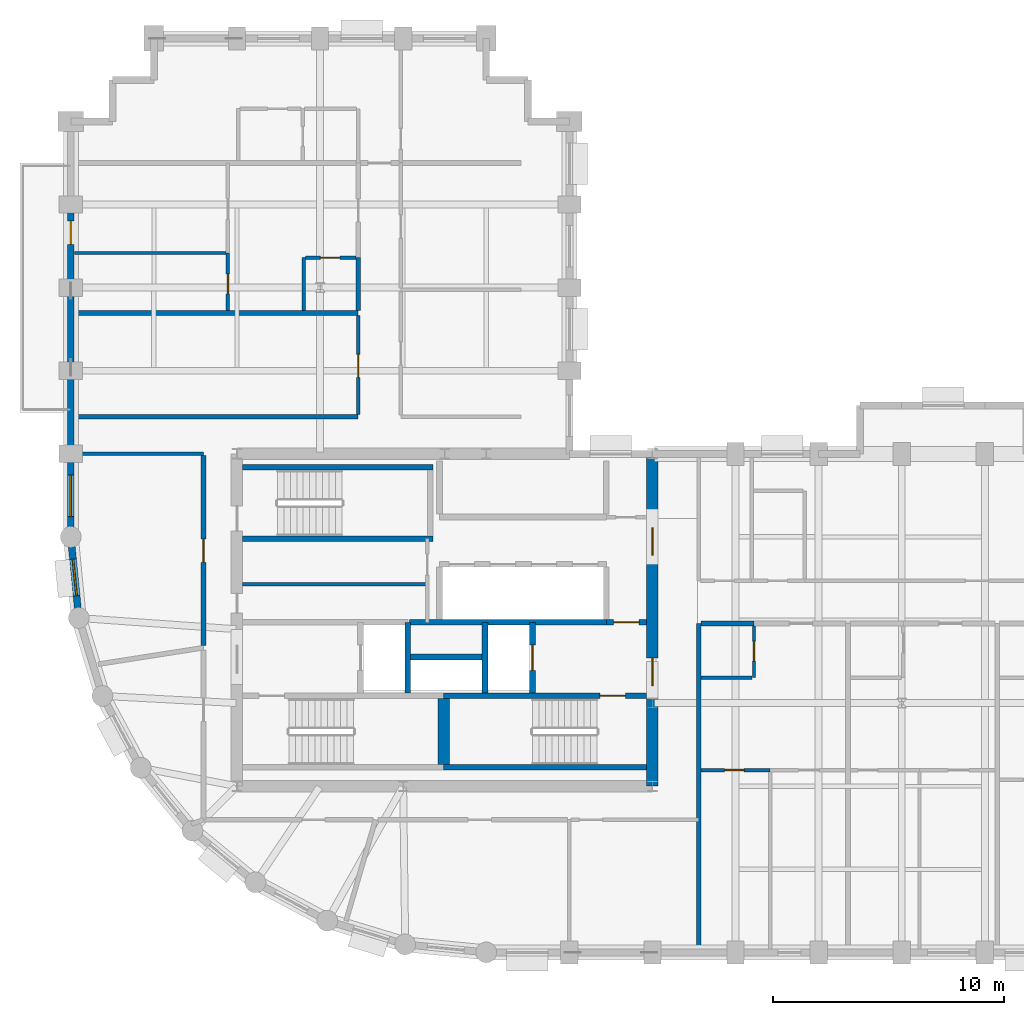
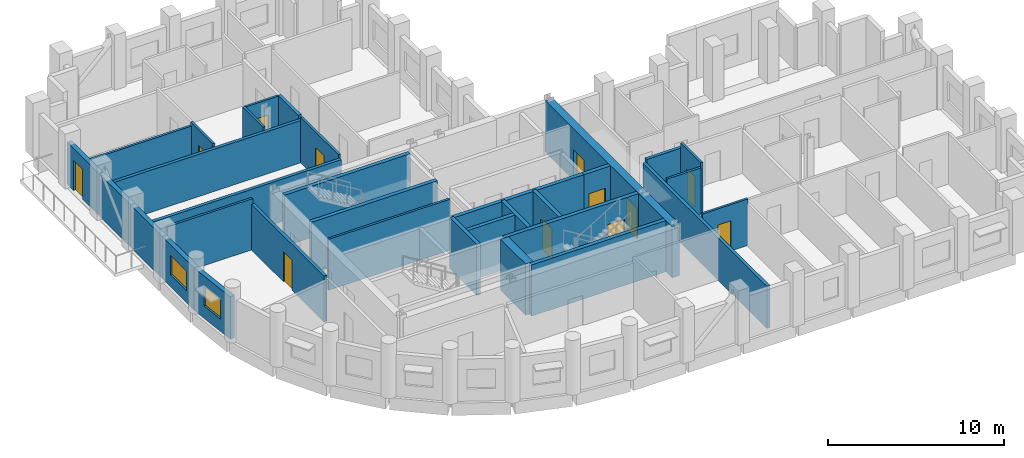
# One storey, part 4 of 10: 33 walls, 12 doors, 2 windows, 14 openings.
"""IFC4 building model written with IfcOpenShell, lengths in metres."""

from ifc_helpers import new_model, si_unit, direction, frame, frame_2d, origin, place, context, subcontext, project, spatial, rectangle, extrude, material, layer, layer_set, type_object, element, fill, save


model = new_model("IFC4")

# Units and contexts
model_context = context("Model", 3, precision=1e-05, world=origin(), true_north=direction((0.0, 1.0)))
body_context = subcontext(model_context, "Body", "Model", "MODEL_VIEW")
ifc_project = project(units=[si_unit("LENGTHUNIT", "METRE"), si_unit("AREAUNIT", "SQUARE_METRE"), si_unit("VOLUMEUNIT", "CUBIC_METRE"), si_unit("PLANEANGLEUNIT", "RADIAN"), si_unit("MASSUNIT", "GRAM", prefix="KILO")], contexts=[model_context])

# Site, building, storey
site_placement = place(None, origin())
site = spatial("IfcSite", under=ifc_project, at=site_placement, CompositionType="ELEMENT")
building_placement = place(site_placement, origin())
building = spatial("IfcBuilding", under=site, at=building_placement, Name="Solnavia Interchange Tower", CompositionType="ELEMENT")
storey_placement = place(building_placement, frame((0.0, 0.0, 150.39990234375)))
storey = spatial("IfcBuildingStorey", under=building, at=storey_placement, Name="L37", CompositionType="ELEMENT", Elevation=150.39990234375)

# Wall, opening, door
ifc_material_1 = material(Name="Gypsum Acoustic Twin-Stud & Mineral Wool", Category="gypsum")
ifc_layer_1 = layer(ifc_material_1, 0.199951171875)
ifc_layer_set_1 = layer_set([ifc_layer_1], Name="Gypsum Acoustic Twin-Stud & Mineral Wool")
wall_type_1 = type_object("IfcWallType", Name="Wall-ApartmentParty-200", PredefinedType="PARTITIONING", material=ifc_layer_set_1)
wall_1_placement = place(storey_placement, frame((12.949951171875, 16.904052734375, 0.0), z_axis=(0.0, 0.0, 1.0), x_axis=(0.0, 1.0, 0.0)))
wall_1 = element("IfcWall", 1, at=wall_1_placement, inside=storey, type_object=wall_type_1, Name="PTW-L37-12 Interior partition wall", PredefinedType="PARTITIONING", context=body_context, shape_type="SweptSolid", body=[
    extrude(rectangle(XDim=8.217041015625, YDim=0.199951171875, at=frame_2d((4.1083984375, 0.0))), origin(), (0.0, 0.0, 1.0), 3.18017578125),
])
opening_1_placement = place(wall_1_placement, frame((3.595947265625, 0.0, 0.0)))
opening_1 = element("IfcOpeningElement", 2, at=opening_1_placement, cuts=wall_1, Name="Opening DR-07", PredefinedType="OPENING", context=body_context, shape_type="SweptSolid", body=[
    extrude(rectangle(XDim=1.0, YDim=2.10009765625, at=frame_2d((0.5, 1.050048828125))), frame((0.0, 0.10986328125, 0.0), z_axis=(0.0, -1.0, 0.0), x_axis=(1.0, 0.0, 0.0)), (0.0, 0.0, 1.0), 0.219970703125),
])
ifc_material_2 = material(Name="Timber & Acoustic Glazed Office Door", Category="wood")
door_type_1 = type_object("IfcDoorType", Name="Door-Office-1000x2100", OperationType="SINGLE_SWING_RIGHT", PredefinedType="DOOR", material=ifc_material_2)
door_1_placement = place(opening_1_placement, origin())
door_1 = element("IfcDoor", 3, at=door_1_placement, inside=storey, type_object=door_type_1, Name="DR-L37-03 Interior room door", OperationType="SINGLE_SWING_LEFT", OverallHeight=2.10009765625, OverallWidth=1.0, PredefinedType="DOOR", context=body_context, shape_type="SweptSolid", body=[
    extrude(rectangle(XDim=1.0, YDim=2.10009765625, at=frame_2d((0.5, 1.050048828125))), frame((0.0, 0.02490234375, 0.0), z_axis=(0.0, -1.0, 0.0), x_axis=(1.0, 0.0, 0.0)), (0.0, 0.0, 1.0), 0.050048828125),
])
fill(opening_1, door_1)

# Walls
wall_2_placement = place(storey_placement, frame((34.39990234375, 3.75390625, 0.0), z_axis=(0.0, 0.0, 1.0), x_axis=(0.0, 1.0, 0.0)))
element("IfcWall", 4, at=wall_2_placement, inside=storey, type_object=wall_type_1, Name="PTW-L37-17 Interior partition wall", PredefinedType="PARTITIONING", context=body_context, shape_type="SweptSolid", body=[
    extrude(rectangle(XDim=14.09619140625, YDim=0.199951171875, at=frame_2d((7.048095703125, 0.0))), origin(), (0.0, 0.0, 1.0), 2.93017578125),
])
wall_3_placement = place(storey_placement, frame((34.50390625, 17.85009765625, 0.0), z_axis=(0.0, 0.0, 1.0), x_axis=(1.0, 0.0, 0.0)))
element("IfcWall", 5, at=wall_3_placement, inside=storey, type_object=wall_type_1, Name="PTW-L37-19 Interior partition wall", PredefinedType="PARTITIONING", context=body_context, shape_type="SweptSolid", body=[
    extrude(rectangle(XDim=2.296142578125, YDim=0.199951171875, at=frame_2d((1.14794921875, 0.0))), origin(), (0.0, 0.0, 1.0), 3.170166015625),
])
for number, where, z_axis, x_axis, name in (
    (6, (7.35400390625, 26.800048828125, 0.0), (0.0, 0.0, 1.0), (1.0, 0.0, 0.0), "PTW-L37-42 Interior partition wall"),
    (7, (7.35400390625, 31.300048828125, 0.0), (0.0, 0.0, 1.0), (1.0, 0.0, 0.0), "PTW-L37-43 Interior partition wall"),
):
    element("IfcWall", number, at=place(storey_placement, frame(where, z_axis=z_axis, x_axis=x_axis)), inside=storey, type_object=wall_type_1, Name=name, PredefinedType="PARTITIONING", context=body_context, shape_type="SweptSolid", body=[
        extrude(rectangle(XDim=12.2958984375, YDim=0.199951171875, at=frame_2d((6.14794921875, 0.0))), origin(), (0.0, 0.0, 1.0), 2.93017578125),
    ])
wall_4_placement = place(storey_placement, frame((19.64990234375, 31.404052734375, 0.0), z_axis=(0.0, 0.0, 1.0), x_axis=(0.0, 1.0, 0.0)))
element("IfcWall", 8, at=wall_4_placement, inside=storey, type_object=wall_type_1, Name="PTW-L37-45 Interior partition wall", PredefinedType="PARTITIONING", context=body_context, shape_type="SweptSolid", body=[
    extrude(rectangle(XDim=2.2958984375, YDim=0.199951171875, at=frame_2d((1.14794921875, 0.0))), origin(), (0.0, 0.0, 1.0), 3.18017578125),
])

# Wall, opening, door
ifc_material_3 = material(Name="Concrete C40/50", Category="concrete")
ifc_layer_2 = layer(ifc_material_3, 0.300048828125)
ifc_layer_set_2 = layer_set([ifc_layer_2], Name="Concrete C40/50")
wall_type_2 = type_object("IfcWallType", Name="Wall-ExtSpandrel-300", PredefinedType="STANDARD", material=ifc_layer_set_2)
wall_5_placement = place(storey_placement, frame((7.199951171875, 32.39990234375, 0.0), z_axis=(0.0, 0.0, 1.0), x_axis=(0.0, 1.0, 0.0)))
wall_5 = element("IfcWall", 9, at=wall_5_placement, inside=storey, type_object=wall_type_2, Name="EXW-L37-47 Exterior precast spandrel wall", PredefinedType="STANDARD", context=body_context, shape_type="SweptSolid", body=[
    extrude(rectangle(XDim=3.60009765625, YDim=0.300048828125, at=frame_2d((1.800048828125, 0.0))), origin(), (0.0, 0.0, 1.0), 2.93017578125),
])
opening_2_placement = place(wall_5_placement, frame((1.8779296875, 0.0, 0.0)))
opening_2 = element("IfcOpeningElement", 10, at=opening_2_placement, cuts=wall_5, Name="Opening EXD-05", PredefinedType="OPENING", context=body_context, shape_type="SweptSolid", body=[
    extrude(rectangle(XDim=1.0, YDim=2.10009765625, at=frame_2d((0.5, 1.050048828125))), frame((0.0, 0.16015625, 0.0), z_axis=(0.0, -1.0, 0.0), x_axis=(1.0, 0.0, 0.0)), (0.0, 0.0, 1.0), 0.320068359375),
])
ifc_material_4 = material(Name="Thermally Broken Aluminium & Laminated Glass", Category="aluminium")
door_type_2 = type_object("IfcDoorType", Name="Door-TerraceSingle-1000x2100", OperationType="SINGLE_SWING_LEFT", PredefinedType="DOOR", material=ifc_material_4)
door_2_placement = place(opening_2_placement, origin())
door_2 = element("IfcDoor", 11, at=door_2_placement, inside=storey, type_object=door_type_2, Name="EXD-L37-TER Spiral terrace glazed door", OperationType="SINGLE_SWING_LEFT", OverallHeight=2.10009765625, OverallWidth=1.0, PredefinedType="DOOR", context=body_context, shape_type="SweptSolid", body=[
    extrude(rectangle(XDim=1.0, YDim=2.10009765625, at=frame_2d((0.5, 1.050048828125))), frame((0.0, 0.02490234375, 0.0), z_axis=(0.0, -1.0, 0.0), x_axis=(1.0, 0.0, 0.0)), (0.0, 0.0, 1.0), 0.050048828125),
])
fill(opening_2, door_2)

# Walls
wall_6_placement = place(storey_placement, frame((7.199951171875, 28.800048828125, 0.0), z_axis=(0.0, 0.0, 1.0), x_axis=(0.0, 1.0, 0.0)))
element("IfcWall", 12, at=wall_6_placement, inside=storey, type_object=wall_type_2, Name="EXW-L37-48 Exterior precast spandrel wall", PredefinedType="STANDARD", context=body_context, shape_type="SweptSolid", body=[
    extrude(rectangle(XDim=3.599853515625, YDim=0.300048828125, at=frame_2d((1.7998046875, 0.0))), origin(), (0.0, 0.0, 1.0), 2.93017578125),
])
wall_7_placement = place(storey_placement, frame((7.199951171875, 25.199951171875, 0.0), z_axis=(0.0, 0.0, 1.0), x_axis=(0.0, 1.0, 0.0)))
element("IfcWall", 13, at=wall_7_placement, inside=storey, type_object=wall_type_2, Name="EXW-L37-49 Exterior precast spandrel wall", PredefinedType="STANDARD", context=body_context, shape_type="SweptSolid", body=[
    extrude(rectangle(XDim=3.60009765625, YDim=0.300048828125, at=frame_2d((1.800048828125, 0.0))), origin(), (0.0, 0.0, 1.0), 2.93017578125),
])

# Wall, opening, window
wall_8_placement = place(storey_placement, frame((7.199951171875, 21.60009765625, 0.0), z_axis=(0.0, 0.0, 1.0), x_axis=(0.0, 1.0, 0.0)))
wall_8 = element("IfcWall", 14, at=wall_8_placement, inside=storey, type_object=wall_type_2, Name="EXW-L37-50 Exterior precast spandrel wall", PredefinedType="STANDARD", context=body_context, shape_type="SweptSolid", body=[
    extrude(rectangle(XDim=3.599853515625, YDim=0.300048828125, at=frame_2d((1.7998046875, 0.0))), origin(), (0.0, 0.0, 1.0), 2.93017578125),
])
opening_3_placement = place(wall_8_placement, frame((0.875, 0.0, 0.85009765625)))
opening_3 = element("IfcOpeningElement", 15, at=opening_3_placement, cuts=wall_8, Name="Opening WIN-02", PredefinedType="OPENING", context=body_context, shape_type="SweptSolid", body=[
    extrude(rectangle(XDim=1.800048828125, YDim=1.35009765625, at=frame_2d((0.89990234375, 0.675048828125))), frame((0.0, 0.16015625, 0.0), z_axis=(0.0, -1.0, 0.0), x_axis=(1.0, 0.0, 0.0)), (0.0, 0.0, 1.0), 0.320068359375),
])
ifc_material_5 = material(Name="Thermal-Break Aluminium & Low-E Glass", Category="aluminium")
window_type_1 = type_object("IfcWindowType", Name="Window-Ribbon-1800x1350", PartitioningType="SINGLE_PANEL", PredefinedType="WINDOW", material=ifc_material_5)
window_1_placement = place(opening_3_placement, origin())
window_1 = element("IfcWindow", 16, at=window_1_placement, inside=storey, type_object=window_type_1, Name="WIN-L37-50 Facade ribbon window", OverallHeight=1.35009765625, OverallWidth=1.800048828125, PartitioningType="SINGLE_PANEL", PredefinedType="WINDOW", context=body_context, shape_type="SweptSolid", body=[
    extrude(rectangle(XDim=1.800048828125, YDim=1.35009765625, at=frame_2d((0.89990234375, 0.675048828125))), frame((0.0, 0.030029296875, 0.0), z_axis=(0.0, -1.0, 0.0), x_axis=(1.0, 0.0, 0.0)), (0.0, 0.0, 1.0), 0.06005859375),
])
fill(opening_3, window_1)

wall_9_placement = place(storey_placement, frame((7.5458984375, 18.087890625, 0.0), z_axis=(0.0, 0.0, 1.0), x_axis=(-0.09802417461, 0.995184033831, 0.0)))
wall_9 = element("IfcWall", 17, at=wall_9_placement, inside=storey, type_object=wall_type_2, Name="EXW-L37-51 Exterior precast spandrel wall", PredefinedType="STANDARD", context=body_context, shape_type="SweptSolid", body=[
    extrude(rectangle(XDim=3.529296875, YDim=0.300048828125, at=frame_2d((1.7646484375, 0.0))), origin(), (0.0, 0.0, 1.0), 2.93017578125),
])
opening_4_placement = place(wall_9_placement, frame((0.965087890625, 0.0, 0.85009765625)))
opening_4 = element("IfcOpeningElement", 18, at=opening_4_placement, cuts=wall_9, Name="Opening WIN-04", PredefinedType="OPENING", context=body_context, shape_type="SweptSolid", body=[
    extrude(rectangle(XDim=1.60009765625, YDim=1.35009765625, at=frame_2d((0.800048828125, 0.675048828125))), frame((0.0, 0.16015625, 0.0), z_axis=(0.0, -1.0, 0.0), x_axis=(1.0, 0.0, 0.0)), (0.0, 0.0, 1.0), 0.320068359375),
])
window_type_2 = type_object("IfcWindowType", Name="Window-Drum-1600x1350", PartitioningType="SINGLE_PANEL", PredefinedType="WINDOW", material=ifc_material_5)
window_2_placement = place(opening_4_placement, origin())
window_2 = element("IfcWindow", 19, at=window_2_placement, inside=storey, type_object=window_type_2, Name="WIN-L37-51 Facade ribbon window", OverallHeight=1.35009765625, OverallWidth=1.60009765625, PartitioningType="SINGLE_PANEL", PredefinedType="WINDOW", context=body_context, shape_type="SweptSolid", body=[
    extrude(rectangle(XDim=1.60009765625, YDim=1.35009765625, at=frame_2d((0.800048828125, 0.675048828125))), frame((0.0, 0.030029296875, 0.0), z_axis=(0.0, -1.0, 0.0), x_axis=(1.0, 0.0, 0.0)), (0.0, 0.0, 1.0), 0.06005859375),
])
fill(opening_4, window_2)

# Walls
ifc_material_6 = material(Name="Gypsum Plasterboard & Steel Stud", Category="steel")
ifc_layer_3 = layer(ifc_material_6, 0.14990234375)
ifc_layer_set_3 = layer_set([ifc_layer_3], Name="Gypsum Plasterboard & Steel Stud")
wall_type_3 = type_object("IfcWallType", Name="Wall-Partition-150", PredefinedType="PARTITIONING", material=ifc_layer_set_3)
wall_10_placement = place(storey_placement, frame((14.64990234375, 19.550048828125, 0.0), z_axis=(0.0, 0.0, 1.0), x_axis=(1.0, 0.0, 0.0)))
element("IfcWall", 20, at=wall_10_placement, inside=storey, type_object=wall_type_3, Name="CSW-L37-H1 Core shaft wall", PredefinedType="PARTITIONING", context=body_context, shape_type="SweptSolid", body=[
    extrude(rectangle(XDim=8.0, YDim=0.14990234375, at=frame_2d((4.0, 0.0))), origin(), (0.0, 0.0, 1.0), 3.53515625),
])
wall_11_placement = place(storey_placement, frame((7.35400390625, 25.199951171875, 0.0), z_axis=(0.0, 0.0, 1.0), x_axis=(1.0, 0.0, 0.0)))
element("IfcWall", 21, at=wall_11_placement, inside=storey, type_object=wall_type_3, Name="PTW-L37-07 Interior partition wall", PredefinedType="PARTITIONING", context=body_context, shape_type="SweptSolid", body=[
    extrude(rectangle(XDim=5.595947265625, YDim=0.14990234375, at=frame_2d((2.7978515625, 0.0))), origin(), (0.0, 0.0, 1.0), 3.53515625),
])

# Wall, opening, door
wall_12_placement = place(storey_placement, frame((19.64990234375, 26.904052734375, 0.0), z_axis=(0.0, 0.0, 1.0), x_axis=(0.0, 1.0, 0.0)))
wall_12 = element("IfcWall", 22, at=wall_12_placement, inside=storey, type_object=wall_type_3, Name="PTW-L37-44 Interior partition wall", PredefinedType="PARTITIONING", context=body_context, shape_type="SweptSolid", body=[
    extrude(rectangle(XDim=4.2919921875, YDim=0.14990234375, at=frame_2d((2.14599609375, 0.0))), origin(), (0.0, 0.0, 1.0), 3.170166015625),
])
opening_5_placement = place(wall_12_placement, frame((1.60595703125, 0.0, 0.0)))
opening_5 = element("IfcOpeningElement", 23, at=opening_5_placement, cuts=wall_12, Name="Opening DR-07", PredefinedType="OPENING", context=body_context, shape_type="SweptSolid", body=[
    extrude(rectangle(XDim=1.0, YDim=2.10009765625, at=frame_2d((0.5, 1.050048828125))), frame((0.0, 0.0849609375, 0.0), z_axis=(0.0, -1.0, 0.0), x_axis=(1.0, 0.0, 0.0)), (0.0, 0.0, 1.0), 0.169921875),
])
door_3_placement = place(opening_5_placement, origin())
door_3 = element("IfcDoor", 24, at=door_3_placement, inside=storey, type_object=door_type_1, Name="DR-L37-21 Interior room door", OperationType="SINGLE_SWING_RIGHT", OverallHeight=2.10009765625, OverallWidth=1.0, PredefinedType="DOOR", context=body_context, shape_type="SweptSolid", body=[
    extrude(rectangle(XDim=1.0, YDim=2.10009765625, at=frame_2d((0.5, 1.050048828125))), frame((0.0, 0.02490234375, 0.0), z_axis=(0.0, -1.0, 0.0), x_axis=(1.0, 0.0, 0.0)), (0.0, 0.0, 1.0), 0.050048828125),
])
fill(opening_5, door_3)

# Wall
ifc_layer_4 = layer(ifc_material_3, 0.25)
ifc_layer_set_4 = layer_set([ifc_layer_4], Name="Concrete C40/50")
wall_type_4 = type_object("IfcWallType", Name="Wall-ShaftCore-250", PredefinedType="SHEAR", material=ifc_layer_set_4)
wall_13_placement = place(storey_placement, frame((23.35009765625, 11.625, 0.0), z_axis=(0.0, 0.0, 1.0), x_axis=(1.0, 0.0, 0.0)))
element("IfcWall", 25, at=wall_13_placement, inside=storey, type_object=wall_type_4, Name="SHW-L37-ST2S Core shear wall", PredefinedType="SHEAR", context=body_context, shape_type="SweptSolid", body=[
    extrude(rectangle(XDim=8.7998046875, YDim=0.25, at=frame_2d((4.39990234375, 0.0))), origin(), (0.0, 0.0, 1.0), 3.550048828125),
])

# Wall, opening, door
wall_14_placement = place(storey_placement, frame((23.35009765625, 14.715087890625, 0.0), z_axis=(0.0, 0.0, 1.0), x_axis=(1.0, 0.0, 0.0)))
wall_14 = element("IfcWall", 26, at=wall_14_placement, inside=storey, type_object=wall_type_4, Name="SHW-L37-ST2N Core shear wall", PredefinedType="SHEAR", context=body_context, shape_type="SweptSolid", body=[
    extrude(rectangle(XDim=8.7998046875, YDim=0.25, at=frame_2d((4.39990234375, 0.0))), origin(), (0.0, 0.0, 1.0), 3.550048828125),
])
opening_6_placement = place(wall_14_placement, frame((6.77490234375, 0.0, 0.0)))
opening_6 = element("IfcOpeningElement", 27, at=opening_6_placement, cuts=wall_14, Name="Opening DR-01", PredefinedType="OPENING", context=body_context, shape_type="SweptSolid", body=[
    extrude(rectangle(XDim=1.10009765625, YDim=2.10009765625, at=frame_2d((0.550048828125, 1.050048828125))), frame((0.0, 0.135009765625, 0.0), z_axis=(0.0, -1.0, 0.0), x_axis=(1.0, 0.0, 0.0)), (0.0, 0.0, 1.0), 0.27001953125),
])
ifc_material_7 = material(Name="Steel Fire-Rated Leaf & Frame", Category="steel")
door_type_3 = type_object("IfcDoorType", Name="Door-StairFire-1100x2100", OperationType="SINGLE_SWING_LEFT", PredefinedType="DOOR", material=ifc_material_7)
door_4_placement = place(opening_6_placement, origin())
door_4 = element("IfcDoor", 28, at=door_4_placement, inside=storey, type_object=door_type_3, Name="DR-L37-ST2 Core fire door", OperationType="SINGLE_SWING_LEFT", OverallHeight=2.10009765625, OverallWidth=1.10009765625, PredefinedType="DOOR", context=body_context, shape_type="SweptSolid", body=[
    extrude(rectangle(XDim=1.10009765625, YDim=2.10009765625, at=frame_2d((0.550048828125, 1.050048828125))), frame((0.0, 0.02490234375, 0.0), z_axis=(0.0, -1.0, 0.0), x_axis=(1.0, 0.0, 0.0)), (0.0, 0.0, 1.0), 0.050048828125),
])
fill(opening_6, door_4)

# Walls
for number, where, z_axis, x_axis, name in (
    (29, (14.64990234375, 21.52490234375, 0.0), (0.0, 0.0, 1.0), (1.0, 0.0, 0.0), "SHW-L37-ST3S Core shear wall"),
    (30, (14.64990234375, 24.614990234375, 0.0), (0.0, 0.0, 1.0), (1.0, 0.0, 0.0), "SHW-L37-ST3N Core shear wall"),
):
    element("IfcWall", number, at=place(storey_placement, frame(where, z_axis=z_axis, x_axis=x_axis)), inside=storey, type_object=wall_type_4, Name=name, PredefinedType="SHEAR", context=body_context, shape_type="SweptSolid", body=[
        extrude(rectangle(XDim=8.25, YDim=0.25, at=frame_2d((4.125, 0.0))), origin(), (0.0, 0.0, 1.0), 3.550048828125),
    ])
ifc_layer_5 = layer(ifc_material_3, 0.25)
ifc_layer_set_5 = layer_set([ifc_layer_5], Name="Concrete C40/50")
wall_type_5 = type_object("IfcWallType", Name="Wall-ShaftPart-250", PredefinedType="PARTITIONING", material=ifc_layer_set_5)
wall_15_placement = place(storey_placement, frame((21.800048828125, 14.840087890625, 0.0), z_axis=(0.0, 0.0, 1.0), x_axis=(0.0, 1.0, 0.0)))
element("IfcWall", 31, at=wall_15_placement, inside=storey, type_object=wall_type_5, Name="SHW-L37-FFL1-E Core shaft wall", PredefinedType="PARTITIONING", context=body_context, shape_type="SweptSolid", body=[
    extrude(rectangle(XDim=3.059814453125, YDim=0.25, at=frame_2d((1.52978515625, 0.0))), origin(), (0.0, 0.0, 1.0), 3.53515625),
])
wall_16_placement = place(storey_placement, frame((21.8798828125, 17.89990234375, 0.0), z_axis=(0.0, 0.0, 1.0), x_axis=(1.0, 0.0, 0.0)))
element("IfcWall", 32, at=wall_16_placement, inside=storey, type_object=wall_type_5, Name="SHW-L37-FFLE-N1 Core shaft wall", PredefinedType="PARTITIONING", context=body_context, shape_type="SweptSolid", body=[
    extrude(rectangle(XDim=8.52001953125, YDim=0.25, at=frame_2d((4.260009765625, 0.0))), origin(), (0.0, 0.0, 1.0), 3.53515625),
])

# Wall, opening, door
wall_17_placement = place(storey_placement, frame((30.39990234375, 17.89990234375, 0.0), z_axis=(0.0, 0.0, 1.0), x_axis=(1.0, 0.0, 0.0)))
wall_17 = element("IfcWall", 33, at=wall_17_placement, inside=storey, type_object=wall_type_5, Name="SHW-L37-FFLE-N2 Core shaft wall", PredefinedType="PARTITIONING", context=body_context, shape_type="SweptSolid", body=[
    extrude(rectangle(XDim=1.75, YDim=0.25, at=frame_2d((0.875, 0.0))), origin(), (0.0, 0.0, 1.0), 3.53515625),
])
opening_7_placement = place(wall_17_placement, frame((0.320068359375, 0.0, 0.0)))
opening_7 = element("IfcOpeningElement", 34, at=opening_7_placement, cuts=wall_17, Name="Opening DR-01", PredefinedType="OPENING", context=body_context, shape_type="SweptSolid", body=[
    extrude(rectangle(XDim=1.10009765625, YDim=2.10009765625, at=frame_2d((0.550048828125, 1.050048828125))), frame((0.0, 0.135009765625, 0.0), z_axis=(0.0, -1.0, 0.0), x_axis=(1.0, 0.0, 0.0)), (0.0, 0.0, 1.0), 0.27001953125),
])
door_5_placement = place(opening_7_placement, origin())
door_5 = element("IfcDoor", 35, at=door_5_placement, inside=storey, type_object=door_type_3, Name="DR-L37-LLC Core fire door", OperationType="SINGLE_SWING_LEFT", OverallHeight=2.10009765625, OverallWidth=1.10009765625, PredefinedType="DOOR", context=body_context, shape_type="SweptSolid", body=[
    extrude(rectangle(XDim=1.10009765625, YDim=2.10009765625, at=frame_2d((0.550048828125, 1.050048828125))), frame((0.0, 0.02490234375, 0.0), z_axis=(0.0, -1.0, 0.0), x_axis=(1.0, 0.0, 0.0)), (0.0, 0.0, 1.0), 0.050048828125),
])
fill(opening_7, door_5)

# Wall
wall_18_placement = place(storey_placement, frame((25.14990234375, 14.840087890625, 0.0), z_axis=(0.0, 0.0, 1.0), x_axis=(0.0, 1.0, 0.0)))
element("IfcWall", 36, at=wall_18_placement, inside=storey, type_object=wall_type_5, Name="SHW-L37-FFL2-W Core shaft wall", PredefinedType="PARTITIONING", context=body_context, shape_type="SweptSolid", body=[
    extrude(rectangle(XDim=3.059814453125, YDim=0.25, at=frame_2d((1.52978515625, 0.0))), origin(), (0.0, 0.0, 1.0), 3.53515625),
])

# Wall, opening, door
wall_19_placement = place(storey_placement, frame((27.199951171875, 14.840087890625, 0.0), z_axis=(0.0, 0.0, 1.0), x_axis=(0.0, 1.0, 0.0)))
wall_19 = element("IfcWall", 37, at=wall_19_placement, inside=storey, type_object=wall_type_5, Name="SHW-L37-FFL2-E Core shaft wall", PredefinedType="PARTITIONING", context=body_context, shape_type="SweptSolid", body=[
    extrude(rectangle(XDim=3.059814453125, YDim=0.25, at=frame_2d((1.52978515625, 0.0))), origin(), (0.0, 0.0, 1.0), 3.53515625),
])
opening_8_placement = place(wall_19_placement, frame((0.97998046875, 0.0, 0.0)))
opening_8 = element("IfcOpeningElement", 38, at=opening_8_placement, cuts=wall_19, Name="Opening LD-01", PredefinedType="OPENING", context=body_context, shape_type="SweptSolid", body=[
    extrude(rectangle(XDim=1.10009765625, YDim=2.10009765625, at=frame_2d((0.550048828125, 1.050048828125))), frame((0.0, 0.135009765625, 0.0), z_axis=(0.0, -1.0, 0.0), x_axis=(1.0, 0.0, 0.0)), (0.0, 0.0, 1.0), 0.27001953125),
])
ifc_material_8 = material(Name="Brushed Stainless Steel Sliding Door", Category="steel")
door_type_4 = type_object("IfcDoorType", Name="Door-LiftLanding-1100x2100", OperationType="SLIDING_TO_LEFT", PredefinedType="DOOR", material=ifc_material_8)
door_6_placement = place(opening_8_placement, origin())
door_6 = element("IfcDoor", 39, at=door_6_placement, inside=storey, type_object=door_type_4, Name="LD-L37-FFL2 Lift landing sliding door", OperationType="SLIDING_TO_LEFT", OverallHeight=2.10009765625, OverallWidth=1.10009765625, PredefinedType="DOOR", context=body_context, shape_type="SweptSolid", body=[
    extrude(rectangle(XDim=1.10009765625, YDim=2.10009765625, at=frame_2d((0.550048828125, 1.050048828125))), frame((0.0, 0.02490234375, 0.0), z_axis=(0.0, -1.0, 0.0), x_axis=(1.0, 0.0, 0.0)), (0.0, 0.0, 1.0), 0.050048828125),
])
fill(opening_8, door_6)

# Wall
wall_20_placement = place(storey_placement, frame((21.800048828125, 16.39990234375, 0.0), z_axis=(0.0, 0.0, 1.0), x_axis=(1.0, 0.0, 0.0)))
element("IfcWall", 40, at=wall_20_placement, inside=storey, type_object=wall_type_5, Name="SHW-L37-MEP-N Core shaft wall", PredefinedType="PARTITIONING", context=body_context, shape_type="SweptSolid", body=[
    extrude(rectangle(XDim=3.349853515625, YDim=0.25, at=frame_2d((1.6748046875, 0.0))), origin(), (0.0, 0.0, 1.0), 3.53515625),
])

# Wall, openings, doors
ifc_material_9 = material(Name="Concrete C60/75", Category="concrete")
ifc_layer_6 = layer(ifc_material_9, 0.5)
ifc_layer_set_6 = layer_set([ifc_layer_6], Name="Concrete C60/75")
wall_type_6 = type_object("IfcWallType", Name="Wall-ShearCore-500", PredefinedType="SHEAR", material=ifc_layer_set_6)
wall_21_placement = place(storey_placement, frame((32.39990234375, 10.800048828125, 0.0), z_axis=(0.0, 0.0, 1.0), x_axis=(0.0, 1.0, 0.0)))
wall_21 = element("IfcWall", 41, at=wall_21_placement, inside=storey, type_object=wall_type_6, Name="CRW-L37-E Core shear wall", PredefinedType="SHEAR", context=body_context, shape_type="SweptSolid", body=[
    extrude(rectangle(XDim=14.39990234375, YDim=0.5, at=frame_2d((7.199951171875, 0.0))), origin(), (0.0, 0.0, 1.0), 3.550048828125),
])
opening_9_placement = place(wall_21_placement, frame((4.35009765625, 0.0, 0.0)))
opening_9 = element("IfcOpeningElement", 42, at=opening_9_placement, cuts=wall_21, Name="Opening DR-02", PredefinedType="OPENING", context=body_context, shape_type="SweptSolid", body=[
    extrude(rectangle(XDim=1.199951171875, YDim=2.10009765625, at=frame_2d((0.60009765625, 1.050048828125))), frame((0.0, 0.260009765625, 0.0), z_axis=(0.0, -1.0, 0.0), x_axis=(1.0, 0.0, 0.0)), (0.0, 0.0, 1.0), 0.52001953125),
])
opening_10_placement = place(wall_21_placement, frame((10.0, 0.0, 0.0)))
opening_10 = element("IfcOpeningElement", 43, at=opening_10_placement, cuts=wall_21, Name="Opening DR-02", PredefinedType="OPENING", context=body_context, shape_type="SweptSolid", body=[
    extrude(rectangle(XDim=1.199951171875, YDim=2.10009765625, at=frame_2d((0.60009765625, 1.050048828125))), frame((0.0, 0.260009765625, 0.0), z_axis=(0.0, -1.0, 0.0), x_axis=(1.0, 0.0, 0.0)), (0.0, 0.0, 1.0), 0.52001953125),
])
ifc_material_10 = material(Name="Steel Fire-Rated Vision-Panel Door", Category="steel")
door_type_5 = type_object("IfcDoorType", Name="Door-LobbyFire-1200x2100", OperationType="SINGLE_SWING_RIGHT", PredefinedType="DOOR", material=ifc_material_10)
door_7_placement = place(opening_9_placement, origin())
door_7 = element("IfcDoor", 44, at=door_7_placement, inside=storey, type_object=door_type_5, Name="DR-L37-FFL2E Core fire door", OperationType="SINGLE_SWING_LEFT", OverallHeight=2.10009765625, OverallWidth=1.199951171875, PredefinedType="DOOR", context=body_context, shape_type="SweptSolid", body=[
    extrude(rectangle(XDim=1.199951171875, YDim=2.10009765625, at=frame_2d((0.60009765625, 1.050048828125))), frame((0.0, 0.02490234375, 0.0), z_axis=(0.0, -1.0, 0.0), x_axis=(1.0, 0.0, 0.0)), (0.0, 0.0, 1.0), 0.050048828125),
])
fill(opening_9, door_7)
door_8_placement = place(opening_10_placement, origin())
door_8 = element("IfcDoor", 45, at=door_8_placement, inside=storey, type_object=door_type_5, Name="DR-L37-LLE Core fire door", OperationType="SINGLE_SWING_RIGHT", OverallHeight=2.10009765625, OverallWidth=1.199951171875, PredefinedType="DOOR", context=body_context, shape_type="SweptSolid", body=[
    extrude(rectangle(XDim=1.199951171875, YDim=2.10009765625, at=frame_2d((0.60009765625, 1.050048828125))), frame((0.0, 0.02490234375, 0.0), z_axis=(0.0, -1.0, 0.0), x_axis=(1.0, 0.0, 0.0)), (0.0, 0.0, 1.0), 0.050048828125),
])
fill(opening_10, door_8)

# Wall
wall_22_placement = place(storey_placement, frame((23.35009765625, 11.75, 0.0), z_axis=(0.0, 0.0, 1.0), x_axis=(0.0, 1.0, 0.0)))
element("IfcWall", 46, at=wall_22_placement, inside=storey, type_object=wall_type_6, Name="SHW-L37-ST12M Core shear wall", PredefinedType="SHEAR", context=body_context, shape_type="SweptSolid", body=[
    extrude(rectangle(XDim=2.840087890625, YDim=0.5, at=frame_2d((1.419921875, 0.0))), origin(), (0.0, 0.0, 1.0), 3.550048828125),
])

# Wall, opening, door
ifc_material_11 = material(Name="Moisture-Resistant Gypsum & Steel Stud", Category="steel")
ifc_layer_7 = layer(ifc_material_11, 0.14990234375)
ifc_layer_set_7 = layer_set([ifc_layer_7], Name="Moisture-Resistant Gypsum & Steel Stud")
wall_type_7 = type_object("IfcWallType", Name="Wall-WetRoom-150", PredefinedType="PARTITIONING", material=ifc_layer_set_7)
wall_23_placement = place(storey_placement, frame((36.800048828125, 15.5, 0.0), z_axis=(0.0, 0.0, 1.0), x_axis=(0.0, 1.0, 0.0)))
wall_23 = element("IfcWall", 47, at=wall_23_placement, inside=storey, type_object=wall_type_7, Name="PTW-L37-20 Interior partition wall", PredefinedType="PARTITIONING", context=body_context, shape_type="SweptSolid", body=[
    extrude(rectangle(XDim=2.24609375, YDim=0.14990234375, at=frame_2d((1.123046875, 0.0))), origin(), (0.0, 0.0, 1.0), 3.53515625),
])
opening_11_placement = place(wall_23_placement, frame((0.719970703125, 0.0, 0.0)))
opening_11 = element("IfcOpeningElement", 48, at=opening_11_placement, cuts=wall_23, Name="Opening DR-10", PredefinedType="OPENING", context=body_context, shape_type="SweptSolid", body=[
    extrude(rectangle(XDim=0.85009765625, YDim=2.10009765625, at=frame_2d((0.425048828125, 1.050048828125))), frame((0.0, 0.0849609375, 0.0), z_axis=(0.0, -1.0, 0.0), x_axis=(1.0, 0.0, 0.0)), (0.0, 0.0, 1.0), 0.169921875),
])
ifc_material_12 = material(Name="Moisture-Resistant Timber Door", Category="wood")
door_type_6 = type_object("IfcDoorType", Name="Door-Bathroom-850x2100", OperationType="SINGLE_SWING_RIGHT", PredefinedType="DOOR", material=ifc_material_12)
door_9_placement = place(opening_11_placement, origin())
door_9 = element("IfcDoor", 49, at=door_9_placement, inside=storey, type_object=door_type_6, Name="DR-L37-08 Interior room door", OperationType="SINGLE_SWING_RIGHT", OverallHeight=2.10009765625, OverallWidth=0.85009765625, PredefinedType="DOOR", context=body_context, shape_type="SweptSolid", body=[
    extrude(rectangle(XDim=0.85009765625, YDim=2.10009765625, at=frame_2d((0.425048828125, 1.050048828125))), frame((0.0, 0.02490234375, 0.0), z_axis=(0.0, -1.0, 0.0), x_axis=(1.0, 0.0, 0.0)), (0.0, 0.0, 1.0), 0.050048828125),
])
fill(opening_11, door_9)

# Wall
wall_24_placement = place(storey_placement, frame((34.50390625, 15.5, 0.0), z_axis=(0.0, 0.0, 1.0), x_axis=(1.0, 0.0, 0.0)))
element("IfcWall", 50, at=wall_24_placement, inside=storey, type_object=wall_type_7, Name="PTW-L37-21 Interior partition wall", PredefinedType="PARTITIONING", context=body_context, shape_type="SweptSolid", body=[
    extrude(rectangle(XDim=2.217041015625, YDim=0.14990234375, at=frame_2d((1.1083984375, 0.0))), origin(), (0.0, 0.0, 1.0), 3.22021484375),
])

# Wall, opening, door
wall_25_placement = place(storey_placement, frame((34.50390625, 11.5, 0.0), z_axis=(0.0, 0.0, 1.0), x_axis=(1.0, 0.0, 0.0)))
wall_25 = element("IfcWall", 51, at=wall_25_placement, inside=storey, type_object=wall_type_7, Name="PTW-L37-24 Interior partition wall", PredefinedType="PARTITIONING", context=body_context, shape_type="SweptSolid", body=[
    extrude(rectangle(XDim=2.99609375, YDim=0.14990234375, at=frame_2d((1.498046875, 0.0))), origin(), (0.0, 0.0, 1.0), 3.22021484375),
])
opening_12_placement = place(wall_25_placement, frame((1.02099609375, 0.0, 0.0)))
opening_12 = element("IfcOpeningElement", 52, at=opening_12_placement, cuts=wall_25, Name="Opening DR-10", PredefinedType="OPENING", context=body_context, shape_type="SweptSolid", body=[
    extrude(rectangle(XDim=0.85009765625, YDim=2.10009765625, at=frame_2d((0.425048828125, 1.050048828125))), frame((0.0, 0.0849609375, 0.0), z_axis=(0.0, -1.0, 0.0), x_axis=(1.0, 0.0, 0.0)), (0.0, 0.0, 1.0), 0.169921875),
])
door_10_placement = place(opening_12_placement, origin())
door_10 = element("IfcDoor", 53, at=door_10_placement, inside=storey, type_object=door_type_6, Name="DR-L37-11 Interior room door", OperationType="SINGLE_SWING_LEFT", OverallHeight=2.10009765625, OverallWidth=0.85009765625, PredefinedType="DOOR", context=body_context, shape_type="SweptSolid", body=[
    extrude(rectangle(XDim=0.85009765625, YDim=2.10009765625, at=frame_2d((0.425048828125, 1.050048828125))), frame((0.0, 0.02490234375, 0.0), z_axis=(0.0, -1.0, 0.0), x_axis=(1.0, 0.0, 0.0)), (0.0, 0.0, 1.0), 0.050048828125),
])
fill(opening_12, door_10)

# Wall
wall_26_placement = place(storey_placement, frame((17.300048828125, 31.404052734375, 0.0), z_axis=(0.0, 0.0, 1.0), x_axis=(0.0, 1.0, 0.0)))
element("IfcWall", 54, at=wall_26_placement, inside=storey, type_object=wall_type_7, Name="PTW-L37-46 Interior partition wall", PredefinedType="PARTITIONING", context=body_context, shape_type="SweptSolid", body=[
    extrude(rectangle(XDim=2.2958984375, YDim=0.14990234375, at=frame_2d((1.14794921875, 0.0))), origin(), (0.0, 0.0, 1.0), 3.18017578125),
])

# Wall, opening, door
wall_27_placement = place(storey_placement, frame((17.37890625, 33.699951171875, 0.0), z_axis=(0.0, 0.0, 1.0), x_axis=(1.0, 0.0, 0.0)))
wall_27 = element("IfcWall", 55, at=wall_27_placement, inside=storey, type_object=wall_type_7, Name="PTW-L37-47 Interior partition wall", PredefinedType="PARTITIONING", context=body_context, shape_type="SweptSolid", body=[
    extrude(rectangle(XDim=2.1669921875, YDim=0.14990234375, at=frame_2d((1.08349609375, 0.0))), origin(), (0.0, 0.0, 1.0), 3.170166015625),
])
opening_13_placement = place(wall_27_placement, frame((0.633056640625, 0.0, 0.0)))
opening_13 = element("IfcOpeningElement", 56, at=opening_13_placement, cuts=wall_27, Name="Opening DR-10", PredefinedType="OPENING", context=body_context, shape_type="SweptSolid", body=[
    extrude(rectangle(XDim=0.85009765625, YDim=2.10009765625, at=frame_2d((0.425048828125, 1.050048828125))), frame((0.0, 0.0849609375, 0.0), z_axis=(0.0, -1.0, 0.0), x_axis=(1.0, 0.0, 0.0)), (0.0, 0.0, 1.0), 0.169921875),
])
door_11_placement = place(opening_13_placement, origin())
door_11 = element("IfcDoor", 57, at=door_11_placement, inside=storey, type_object=door_type_6, Name="DR-L37-22 Interior room door", OperationType="SINGLE_SWING_RIGHT", OverallHeight=2.10009765625, OverallWidth=0.85009765625, PredefinedType="DOOR", context=body_context, shape_type="SweptSolid", body=[
    extrude(rectangle(XDim=0.85009765625, YDim=2.10009765625, at=frame_2d((0.425048828125, 1.050048828125))), frame((0.0, 0.02490234375, 0.0), z_axis=(0.0, -1.0, 0.0), x_axis=(1.0, 0.0, 0.0)), (0.0, 0.0, 1.0), 0.050048828125),
])
fill(opening_13, door_11)

wall_28_placement = place(storey_placement, frame((14.010009765625, 31.404052734375, 0.0), z_axis=(0.0, 0.0, 1.0), x_axis=(0.0, 1.0, 0.0)))
wall_28 = element("IfcWall", 58, at=wall_28_placement, inside=storey, type_object=wall_type_7, Name="PTW-L37-50 Interior partition wall", PredefinedType="PARTITIONING", context=body_context, shape_type="SweptSolid", body=[
    extrude(rectangle(XDim=2.495849609375, YDim=0.14990234375, at=frame_2d((1.248046875, 0.0))), origin(), (0.0, 0.0, 1.0), 3.18017578125),
])
opening_14_placement = place(wall_28_placement, frame((0.73095703125, 0.0, 0.0)))
opening_14 = element("IfcOpeningElement", 59, at=opening_14_placement, cuts=wall_28, Name="Opening DR-10", PredefinedType="OPENING", context=body_context, shape_type="SweptSolid", body=[
    extrude(rectangle(XDim=0.85009765625, YDim=2.10009765625, at=frame_2d((0.425048828125, 1.050048828125))), frame((0.0, 0.0849609375, 0.0), z_axis=(0.0, -1.0, 0.0), x_axis=(1.0, 0.0, 0.0)), (0.0, 0.0, 1.0), 0.169921875),
])
door_12_placement = place(opening_14_placement, origin())
door_12 = element("IfcDoor", 60, at=door_12_placement, inside=storey, type_object=door_type_6, Name="DR-L37-25 Interior room door", OperationType="SINGLE_SWING_RIGHT", OverallHeight=2.10009765625, OverallWidth=0.85009765625, PredefinedType="DOOR", context=body_context, shape_type="SweptSolid", body=[
    extrude(rectangle(XDim=0.85009765625, YDim=2.10009765625, at=frame_2d((0.425048828125, 1.050048828125))), frame((0.0, 0.02490234375, 0.0), z_axis=(0.0, -1.0, 0.0), x_axis=(1.0, 0.0, 0.0)), (0.0, 0.0, 1.0), 0.050048828125),
])
fill(opening_14, door_12)

# Wall
wall_29_placement = place(storey_placement, frame((7.35400390625, 33.89990234375, 0.0), z_axis=(0.0, 0.0, 1.0), x_axis=(1.0, 0.0, 0.0)))
element("IfcWall", 61, at=wall_29_placement, inside=storey, type_object=wall_type_7, Name="PTW-L37-51 Interior partition wall", PredefinedType="PARTITIONING", context=body_context, shape_type="SweptSolid", body=[
    extrude(rectangle(XDim=6.576904296875, YDim=0.14990234375, at=frame_2d((3.28857421875, 0.0))), origin(), (0.0, 0.0, 1.0), 2.93017578125),
])

save(model, "model.ifc")
